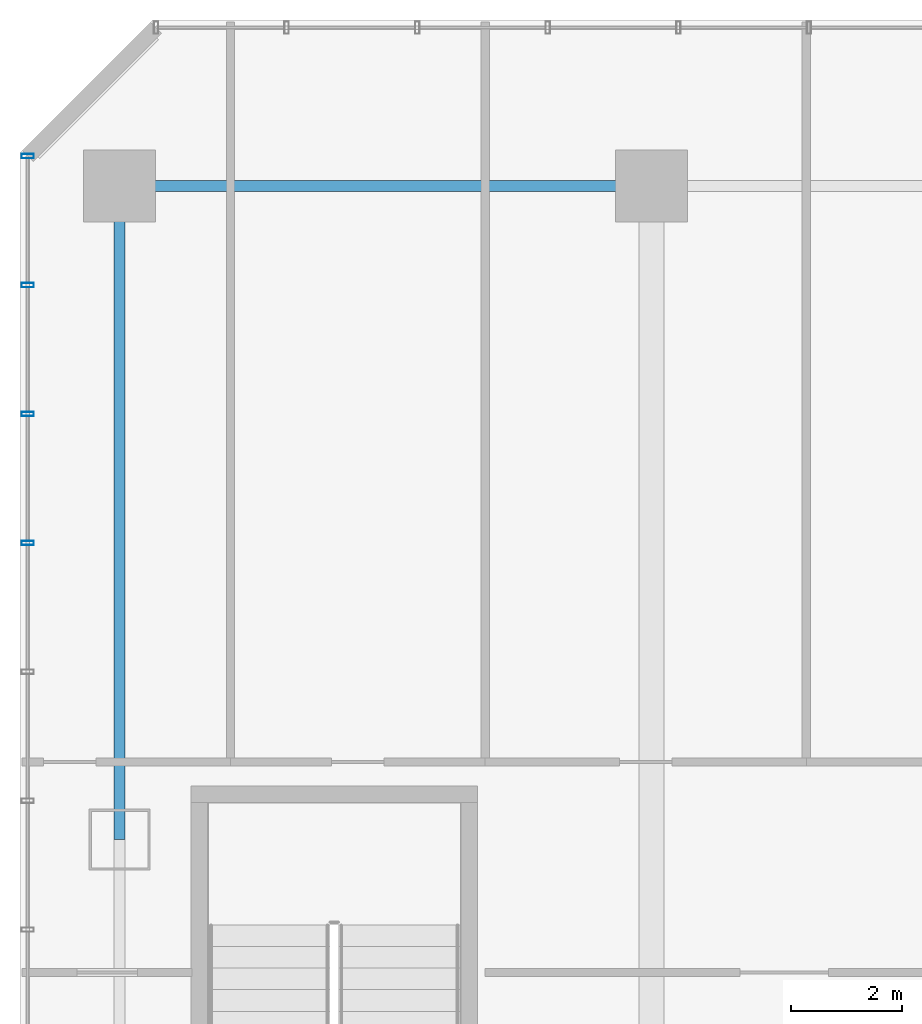
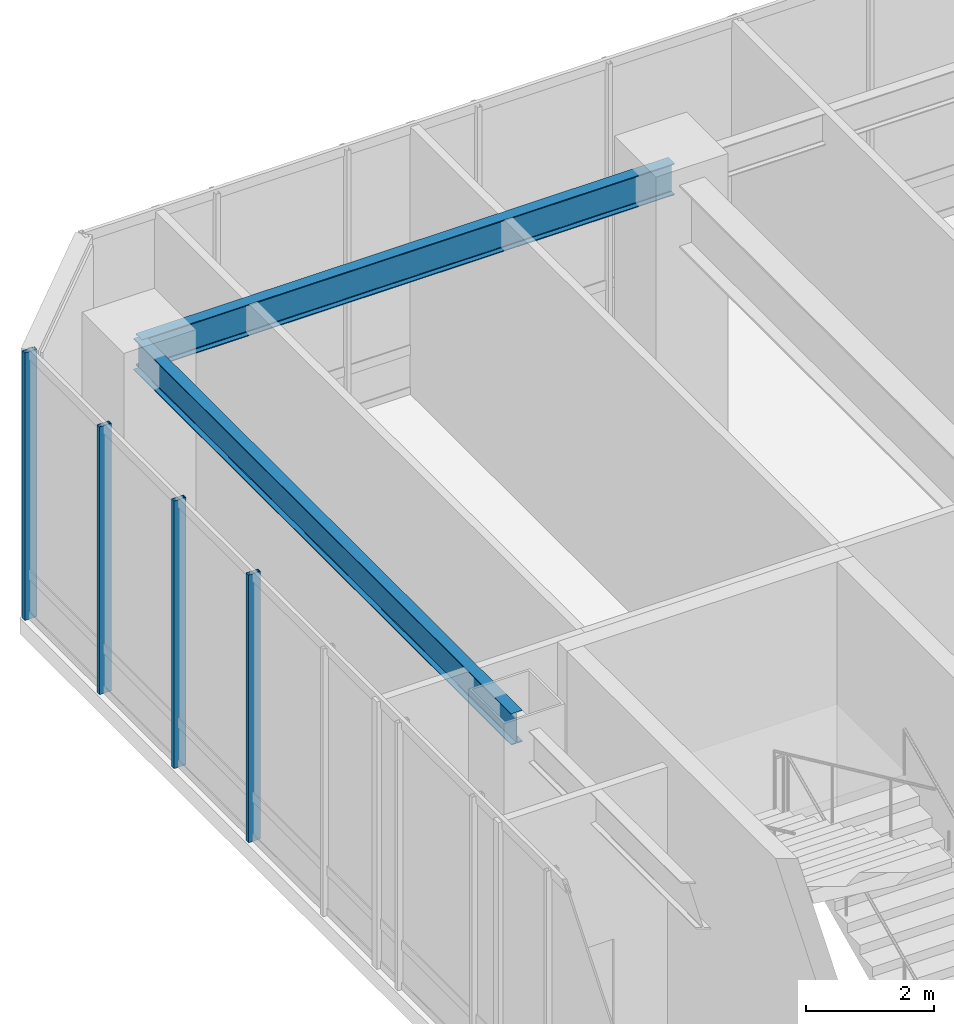
# One storey, part 14 of 35: 4 members, 2 beams, 1 element without a shape of its own.
"""IFC4 building model written with IfcOpenShell, lengths in metres."""

from ifc_helpers import new_model, si_unit, direction, frame, origin, origin_2d, place, context, subcontext, project, spatial, hollow_rectangle, i_section, extrude, material, layer, layer_set, material_profile, profile_set, type_object, element, aggregate, save


model = new_model("IFC4")

# Units and contexts
model_context = context("Model", 3, precision=1e-05, world=origin(), true_north=direction((0.0, 1.0)))
body_context = subcontext(model_context, "Body", "Model", "MODEL_VIEW")
ifc_project = project(units=[si_unit("LENGTHUNIT", "METRE"), si_unit("AREAUNIT", "SQUARE_METRE"), si_unit("VOLUMEUNIT", "CUBIC_METRE"), si_unit("PLANEANGLEUNIT", "RADIAN"), si_unit("MASSUNIT", "GRAM", prefix="KILO")], contexts=[model_context])

# Site, building, storey
site_placement = place(None, origin())
site = spatial("IfcSite", under=ifc_project, at=site_placement, CompositionType="ELEMENT")
building_placement = place(site_placement, origin())
building = spatial("IfcBuilding", under=site, at=building_placement, Name="Hatsunagi Terrace Concourse", CompositionType="ELEMENT")
storey_placement = place(building_placement, frame((0.0, 0.0, 16.199951171875)))
storey = spatial("IfcBuildingStorey", under=building, at=storey_placement, Name="L04", CompositionType="ELEMENT", Elevation=16.199951171875)

# Curtain wall, members
ifc_material_1 = material(Name="Anodised Aluminium Alloy 6063-T5", Category="aluminium")
ifc_layer = layer(ifc_material_1, 0.199951171875)
ifc_layer_set = layer_set([ifc_layer], Name="PodiumStorefront_CW01")
curtain_wall_type = type_object("IfcCurtainWallType", Name="PodiumStorefront_CW01", PredefinedType="NOTDEFINED", material=ifc_layer_set)
curtain_wall_placement = place(storey_placement, origin())
curtain_wall = element("IfcCurtainWall", 1, at=curtain_wall_placement, inside=storey, type_object=curtain_wall_type, Name="Unitised Curtain Wall CW-01 CW-L04-10", PredefinedType="NOTDEFINED")
ifc_material_2 = material(Name="Anodised Aluminium Alloy 6063-T5", Category="aluminium")
ifc_material_profile_1 = material_profile(ifc_material_2, hollow_rectangle(XDim=0.080078125, YDim=0.219970703125, WallThickness=0.0048828125, at=origin_2d()), Name="ALU-MUL-220x80x5")
ifc_profile_set_1 = profile_set([ifc_material_profile_1], Name="Anodised Aluminium Alloy 6063-T5")
member_type = type_object("IfcMemberType", Name="CurtainWallMullion_Heavy_220x80", PredefinedType="MULLION", material=ifc_profile_set_1)
member_1_placement = place(storey_placement, frame((0.139892578125, 42.156982421875, 0.0), z_axis=(0.0, 0.0, 1.0), x_axis=(0.0, 1.0, 0.0)))
member_1 = element("IfcMember", 2, at=member_1_placement, type_object=member_type, Name="Curtain Wall Mullion MUL-01", PredefinedType="MULLION", context=body_context, shape_type="SweptSolid", body=[
    extrude(hollow_rectangle(XDim=0.080078125, YDim=0.219970703125, WallThickness=0.0048828125, at=origin_2d()), origin(), (0.0, 0.0, 1.0), 5.10009765625),
])
member_2_placement = place(storey_placement, frame((0.139892578125, 44.485107421875, 0.0), z_axis=(0.0, 0.0, 1.0), x_axis=(0.0, 1.0, 0.0)))
member_2 = element("IfcMember", 3, at=member_2_placement, type_object=member_type, Name="Curtain Wall Mullion MUL-01", PredefinedType="MULLION", context=body_context, shape_type="SweptSolid", body=[
    extrude(hollow_rectangle(XDim=0.080078125, YDim=0.219970703125, WallThickness=0.0048828125, at=origin_2d()), origin(), (0.0, 0.0, 1.0), 5.10009765625),
])
member_3_placement = place(storey_placement, frame((0.139892578125, 46.81396484375, 0.0), z_axis=(0.0, 0.0, 1.0), x_axis=(0.0, 1.0, 0.0)))
member_3 = element("IfcMember", 4, at=member_3_placement, type_object=member_type, Name="Curtain Wall Mullion MUL-01", PredefinedType="MULLION", context=body_context, shape_type="SweptSolid", body=[
    extrude(hollow_rectangle(XDim=0.080078125, YDim=0.219970703125, WallThickness=0.0048828125, at=origin_2d()), origin(), (0.0, 0.0, 1.0), 5.10009765625),
])
member_4_placement = place(storey_placement, frame((0.139892578125, 49.14208984375, 0.0), z_axis=(0.0, 0.0, 1.0), x_axis=(0.0, 1.0, 0.0)))
member_4 = element("IfcMember", 5, at=member_4_placement, type_object=member_type, Name="Curtain Wall Mullion MUL-01", PredefinedType="MULLION", context=body_context, shape_type="SweptSolid", body=[
    extrude(hollow_rectangle(XDim=0.080078125, YDim=0.219970703125, WallThickness=0.0048828125, at=origin_2d()), origin(), (0.0, 0.0, 1.0), 5.10009765625),
])
aggregate(curtain_wall, [member_1, member_2, member_3, member_4])

# Beams
ifc_material_3 = material(Name="Steel SN490B", Category="steel")
ifc_material_profile_2 = material_profile(ifc_material_3, i_section(OverallWidth=0.199951171875, OverallDepth=0.60009765625, WebThickness=0.010986328125, FlangeThickness=0.01708984375, FilletRadius=0.01806640625, at=origin_2d()), Name="H-600x200x11x17")
ifc_profile_set_2 = profile_set([ifc_material_profile_2], Name="Steel SN490B")
beam_type = type_object("IfcBeamType", Name="PerimeterSpandrel_H_600x200", PredefinedType="SPANDREL", material=ifc_profile_set_2)
beam_1_placement = place(storey_placement, frame((1.800048828125, 48.60009765625, 4.800048828125), z_axis=(1.0, 0.0, 0.0), x_axis=(0.0, 1.0, 0.0)))
element("IfcBeam", 6, at=beam_1_placement, inside=storey, type_object=beam_type, Name="Beam SP-01 BM-L04-WN-1", PredefinedType="SPANDREL", context=body_context, shape_type="SweptSolid", body=[
    extrude(i_section(OverallWidth=0.199951171875, OverallDepth=0.60009765625, WebThickness=0.010986328125, FlangeThickness=0.01708984375, FilletRadius=0.01806640625, at=origin_2d()), origin(), (0.0, 0.0, 1.0), 9.599853515625),
])
beam_2_placement = place(storey_placement, frame((1.800048828125, 36.800048828125, 4.800048828125), z_axis=(0.0, 1.0, 0.0), x_axis=(-1.0, 0.0, 0.0)))
element("IfcBeam", 7, at=beam_2_placement, inside=storey, type_object=beam_type, Name="Beam SP-01 BM-L04-NS-1-36", PredefinedType="SPANDREL", context=body_context, shape_type="SweptSolid", body=[
    extrude(i_section(OverallWidth=0.199951171875, OverallDepth=0.60009765625, WebThickness=0.010986328125, FlangeThickness=0.01708984375, FilletRadius=0.01806640625, at=origin_2d()), origin(), (0.0, 0.0, 1.0), 11.800048828125),
])

save(model, "model.ifc")
